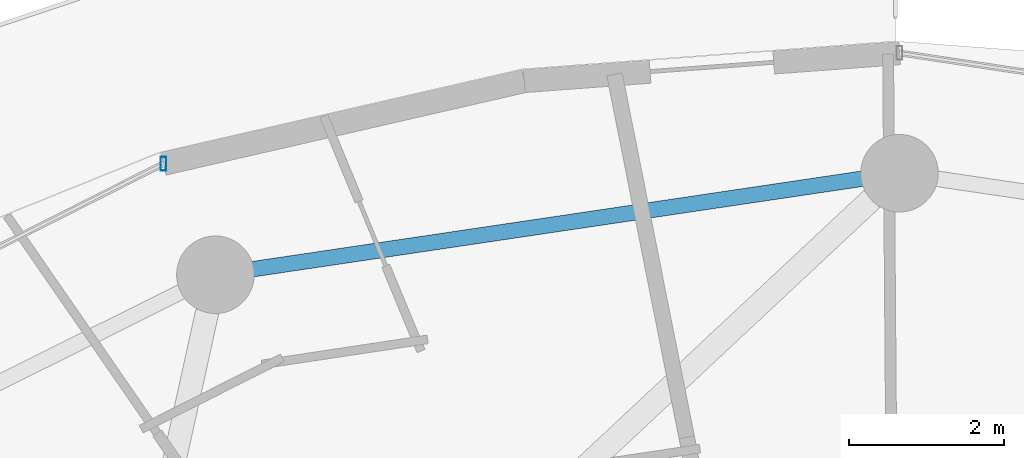
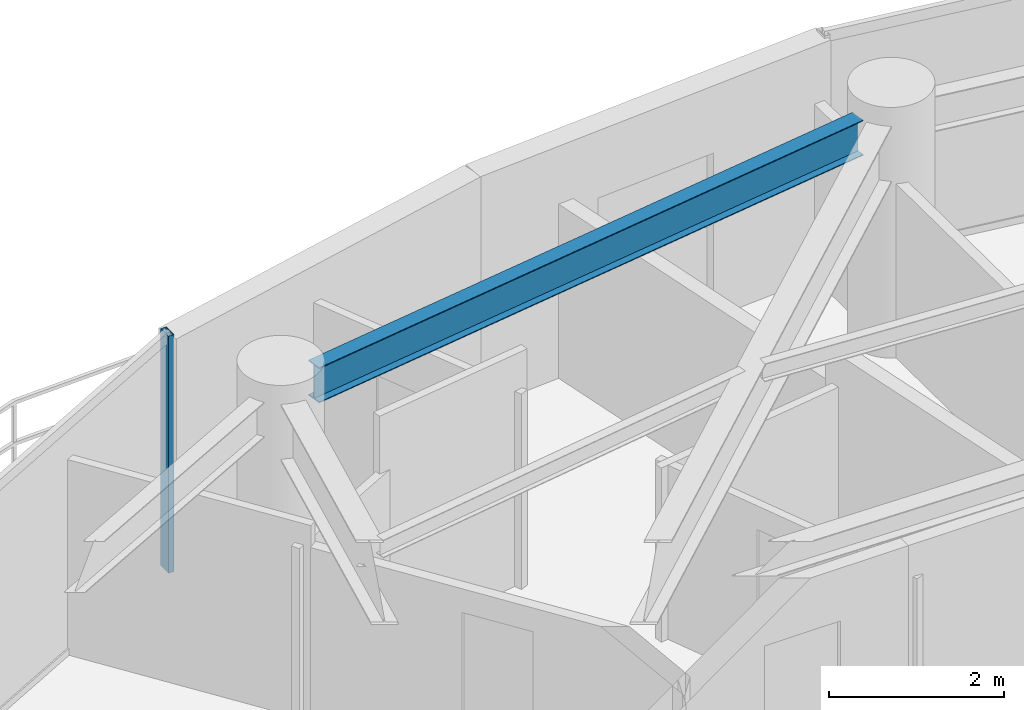
# One storey, part 16 of 29: 1 beam, 1 member, 1 element without a shape of its own.
"""IFC4 building model written with IfcOpenShell, lengths in metres."""

from ifc_helpers import new_model, si_unit, direction, frame, origin, origin_2d, place, context, subcontext, project, spatial, hollow_rectangle, i_section, extrude, material, material_profile, profile_set, type_object, element, aggregate, save


model = new_model("IFC4")

# Units and contexts
model_context = context("Model", 3, precision=1e-05, world=origin(), true_north=direction((0.0, 1.0)))
body_context = subcontext(model_context, "Body", "Model", "MODEL_VIEW")
ifc_project = project(units=[si_unit("LENGTHUNIT", "METRE"), si_unit("AREAUNIT", "SQUARE_METRE"), si_unit("VOLUMEUNIT", "CUBIC_METRE"), si_unit("PLANEANGLEUNIT", "RADIAN"), si_unit("MASSUNIT", "GRAM", prefix="KILO")], contexts=[model_context])

# Site, building, storey
site_placement = place(None, origin())
site = spatial("IfcSite", under=ifc_project, at=site_placement, CompositionType="ELEMENT")
building_placement = place(site_placement, origin())
building = spatial("IfcBuilding", under=site, at=building_placement, Name="Vorneva Point Tower", CompositionType="ELEMENT")
storey_placement = place(building_placement, frame((0.0, 0.0, 150.10009765625)))
storey = spatial("IfcBuildingStorey", under=building, at=storey_placement, Name="L40", CompositionType="ELEMENT", Elevation=150.10009765625)

# Beam
ifc_material_1 = material(Name="Steel S355", Category="steel")
ifc_material_profile_1 = material_profile(ifc_material_1, i_section(OverallWidth=0.199951171875, OverallDepth=0.491943359375, WebThickness=0.0087890625, FlangeThickness=0.011962890625, at=origin_2d()), Name="50B1")
ifc_profile_set_1 = profile_set([ifc_material_profile_1], Name="Steel S355")
beam_type = type_object("IfcBeamType", Name="BM-SPN-50B1", PredefinedType="SPANDREL", material=ifc_profile_set_1)
beam_placement = place(storey_placement, frame((37.520263671875, 43.12890625, 2.993896484375), z_axis=(-0.989161199046, -0.146833655211, 0.0), x_axis=(0.146833655211, -0.989161199046, 0.0)))
element("IfcBeam", 1, at=beam_placement, inside=storey, type_object=beam_type, Name="L40 Perimeter Spandrel Ring Beam 05", PredefinedType="SPANDREL", context=body_context, shape_type="SweptSolid", body=[
    extrude(i_section(OverallWidth=0.199951171875, OverallDepth=0.491943359375, WebThickness=0.0087890625, FlangeThickness=0.011962890625, at=origin_2d()), origin(), (0.0, 0.0, 1.0), 7.94775390625),
])

# Curtain wall, member
ifc_material_2 = material(Name="Pale anodised aluminium", Category="aluminium")
curtain_wall_type = type_object("IfcCurtainWallType", Name="CW-RES-SYS", PredefinedType="NOTDEFINED", material=ifc_material_2)
curtain_wall_placement = place(storey_placement, origin())
curtain_wall = element("IfcCurtainWall", 2, at=curtain_wall_placement, inside=storey, type_object=curtain_wall_type, Name="L40 Unitised Curtain Wall CW-L40-R03", PredefinedType="NOTDEFINED")
ifc_material_profile_2 = material_profile(ifc_material_2, hollow_rectangle(XDim=0.074951171875, YDim=0.179931640625, WallThickness=0.00390625, at=origin_2d()), Name="AL-MUL 180x75x4")
ifc_profile_set_2 = profile_set([ifc_material_profile_2], Name="Pale anodised aluminium")
member_type = type_object("IfcMemberType", Name="CW-MUL-180", PredefinedType="MULLION", material=ifc_profile_set_2)
member_placement = place(storey_placement, frame((28.509521484375, 43.32275390625, -0.0400390625), z_axis=(0.0, 0.0, 1.0), x_axis=(1.0, 0.0, 0.0)))
member = element("IfcMember", 3, at=member_placement, type_object=member_type, Name="CW-L40-R03 Mullion 01", PredefinedType="MULLION", context=body_context, shape_type="SweptSolid", body=[
    extrude(hollow_rectangle(XDim=0.074951171875, YDim=0.179931640625, WallThickness=0.00390625, at=origin_2d()), origin(), (0.0, 0.0, 1.0), 3.31005859375),
])
aggregate(curtain_wall, [member])

save(model, "model.ifc")
